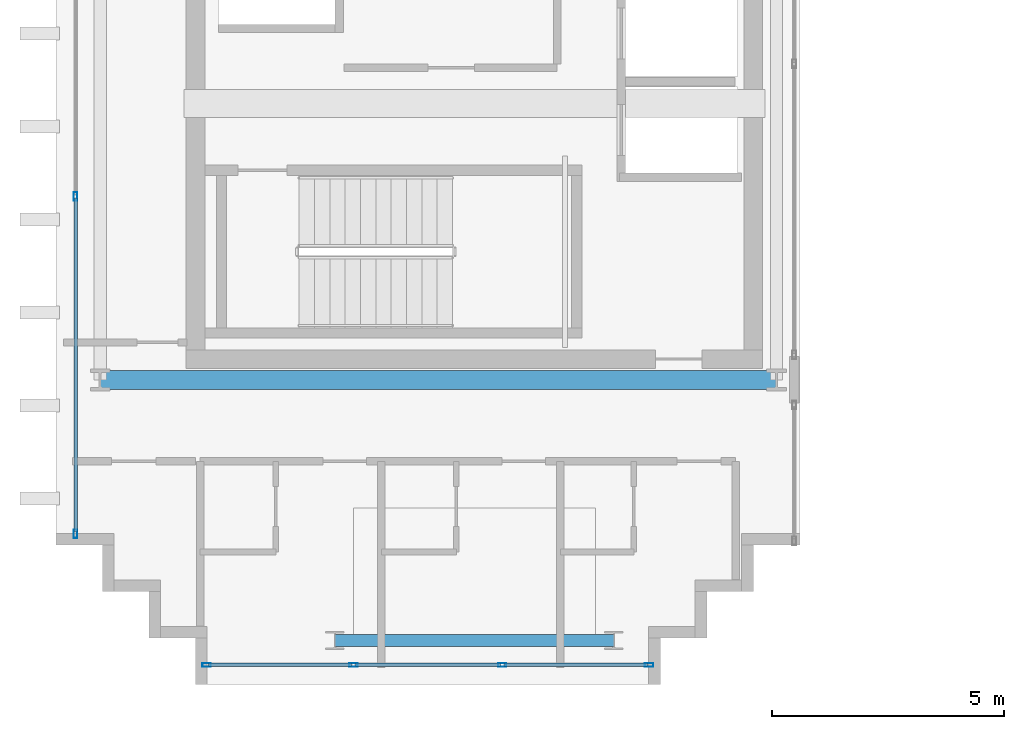
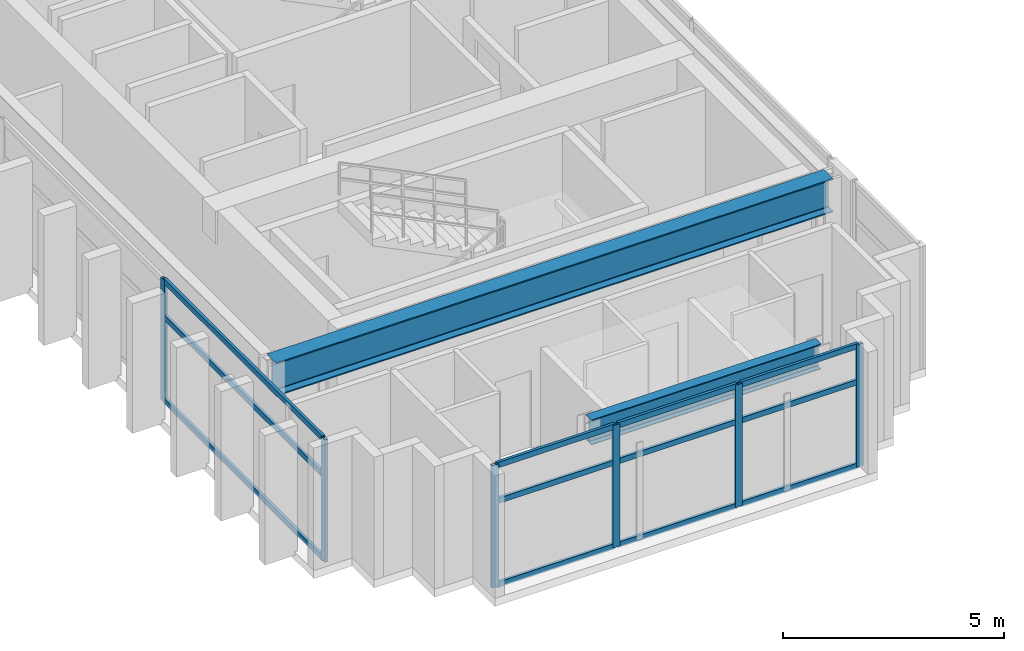
# One storey, part 2 of 25: 18 members, 2 beams, 2 elements without a shape of their own.
"""IFC4 building model written with IfcOpenShell, lengths in metres."""

from ifc_helpers import new_model, si_unit, direction, frame, origin, origin_2d, place, context, subcontext, project, spatial, hollow_rectangle, i_section, extrude, source, transform, mapped, material, layer, layer_set, material_profile, profile_set, type_object, element, aggregate, save


model = new_model("IFC4")

# Units and contexts
model_context = context("Model", 3, precision=1e-05, world=origin(), true_north=direction((0.0, 1.0)))
body_context = subcontext(model_context, "Body", "Model", "MODEL_VIEW")
ifc_project = project(units=[si_unit("LENGTHUNIT", "METRE"), si_unit("AREAUNIT", "SQUARE_METRE"), si_unit("VOLUMEUNIT", "CUBIC_METRE"), si_unit("PLANEANGLEUNIT", "RADIAN"), si_unit("MASSUNIT", "GRAM", prefix="KILO")], contexts=[model_context])

# Site, building, storey
site_placement = place(None, origin())
site = spatial("IfcSite", under=ifc_project, at=site_placement, CompositionType="ELEMENT")
building_placement = place(site_placement, origin())
building = spatial("IfcBuilding", under=site, at=building_placement, Name="Ocotamira Hotel", CompositionType="ELEMENT")
storey_placement = place(building_placement, frame((0.0, 0.0, 254.39990234375)))
storey = spatial("IfcBuildingStorey", under=building, at=storey_placement, Name="L64", CompositionType="ELEMENT", Elevation=254.39990234375)

# Beams
ifc_material_1 = material(Name="Steel ASTM A992 Grade 50", Category="steel")
ifc_material_profile_1 = material_profile(ifc_material_1, i_section(OverallWidth=0.41796875, OverallDepth=0.927001953125, WebThickness=0.019287109375, FlangeThickness=0.031982421875, FilletRadius=0.02392578125, at=origin_2d()), Name="W36X231")
ifc_profile_set_1 = profile_set([ifc_material_profile_1], Name="Steel ASTM A992 Grade 50")
beam_type_1 = type_object("IfcBeamType", Name="BM-GIRD-W36X231", PredefinedType="BEAM", material=ifc_profile_set_1)
shared_shape_1 = source(origin(), body_context, "Body", "SweptSolid", [
    extrude(i_section(OverallWidth=0.41796875, OverallDepth=0.927001953125, WebThickness=0.019287109375, FlangeThickness=0.031982421875, FilletRadius=0.02392578125, at=origin_2d()), origin(), (0.0, 0.0, 1.0), 14.550048828125),
])
beam_1_placement = place(storey_placement, frame((8.949951171875, 14.550048828125, 2.91650390625), z_axis=(1.0, 0.0, 0.0), x_axis=(0.0, 1.0, 0.0)))
element("IfcBeam", 1, at=beam_1_placement, inside=storey, type_object=beam_type_1, Name="L64 Girder Y14.55 X8.95-23.5", PredefinedType="BEAM", context=body_context, shape_type="MappedRepresentation", body=[
    mapped(shared_shape_1, transform((0.0, 0.0, 0.0), scale=1.0)),
])
ifc_material_profile_2 = material_profile(ifc_material_1, i_section(OverallWidth=0.256103515625, OverallDepth=0.693115234375, WebThickness=0.014404296875, FlangeThickness=0.023681640625, FilletRadius=0.01611328125, at=origin_2d()), Name="W27X114")
ifc_profile_set_2 = profile_set([ifc_material_profile_2], Name="Steel ASTM A992 Grade 50")
beam_type_2 = type_object("IfcBeamType", Name="BM-PRIM-W27X114", PredefinedType="BEAM", material=ifc_profile_set_2)
shared_shape_2 = source(origin(), body_context, "Body", "SweptSolid", [
    extrude(i_section(OverallWidth=0.256103515625, OverallDepth=0.693115234375, WebThickness=0.014404296875, FlangeThickness=0.023681640625, FilletRadius=0.01611328125, at=origin_2d()), origin(), (0.0, 0.0, 1.0), 6.0),
])
beam_2_placement = place(storey_placement, frame((14.0, 8.949951171875, 3.03369140625), z_axis=(1.0, 0.0, 0.0), x_axis=(0.0, 1.0, 0.0)))
element("IfcBeam", 2, at=beam_2_placement, inside=storey, type_object=beam_type_2, Name="L64 Girder Y8.95 X14-20", PredefinedType="BEAM", context=body_context, shape_type="MappedRepresentation", body=[
    mapped(shared_shape_2, transform((0.0, 0.0, 0.0), scale=1.0)),
])

# Curtain wall, members
ifc_material_2 = material(Name="Anodised pale-metal aluminium and solar glass", Category="aluminium")
ifc_layer = layer(ifc_material_2, 0.2099609375)
ifc_layer_set = layer_set([ifc_layer], Name="Anodised pale-metal aluminium and solar glass")
curtain_wall_type = type_object("IfcCurtainWallType", Name="CW-SYS7-PEAK", PredefinedType="NOTDEFINED", material=ifc_layer_set)
curtain_wall_1_placement = place(storey_placement, origin())
curtain_wall_1 = element("IfcCurtainWall", 3, at=curtain_wall_1_placement, inside=storey, type_object=curtain_wall_type, Name="L64 Curtain Wall CW-7 CW-L64-WS", PredefinedType="NOTDEFINED")
ifc_material_3 = material(Name="Anodised pale-metal aluminium 6063-T6", Category="aluminium")
ifc_material_profile_3 = material_profile(ifc_material_3, hollow_rectangle(XDim=0.080078125, YDim=0.179931640625, WallThickness=0.006103515625, at=origin_2d()), Name="HSS180X80X6")
ifc_profile_set_3 = profile_set([ifc_material_profile_3], Name="Anodised pale-metal aluminium 6063-T6")
member_type_1 = type_object("IfcMemberType", Name="CWM-180X75", PredefinedType="MULLION", material=ifc_profile_set_3)
shared_shape_3 = source(origin(), body_context, "Body", "SweptSolid", [
    extrude(hollow_rectangle(XDim=0.080078125, YDim=0.179931640625, WallThickness=0.006103515625, at=origin_2d()), origin(), (0.0, 0.0, 1.0), 3.380126953125),
])
member_1_placement = place(storey_placement, frame((11.239990234375, 8.419921875, 0.0), z_axis=(0.0, 0.0, 1.0), x_axis=(0.0, 1.0, 0.0)))
member_1 = element("IfcMember", 4, at=member_1_placement, type_object=member_type_1, Name="CW-7 mullion 1", PredefinedType="MULLION", context=body_context, shape_type="MappedRepresentation", body=[
    mapped(shared_shape_3, transform((0.0, 0.0, 0.0), scale=1.0)),
])
member_2_placement = place(storey_placement, frame((14.39990234375, 8.419921875, 0.0), z_axis=(0.0, 0.0, 1.0), x_axis=(0.0, 1.0, 0.0)))
member_2 = element("IfcMember", 5, at=member_2_placement, type_object=member_type_1, Name="CW-7 mullion 2", PredefinedType="MULLION", context=body_context, shape_type="MappedRepresentation", body=[
    mapped(shared_shape_3, transform((0.0, 0.0, 0.0), scale=1.0)),
])
member_3_placement = place(storey_placement, frame((17.60009765625, 8.419921875, 0.0), z_axis=(0.0, 0.0, 1.0), x_axis=(0.0, 1.0, 0.0)))
member_3 = element("IfcMember", 6, at=member_3_placement, type_object=member_type_1, Name="CW-7 mullion 3", PredefinedType="MULLION", context=body_context, shape_type="MappedRepresentation", body=[
    mapped(shared_shape_3, transform((0.0, 0.0, 0.0), scale=1.0)),
])
member_4_placement = place(storey_placement, frame((20.760009765625, 8.419921875, 0.0), z_axis=(0.0, 0.0, 1.0), x_axis=(0.0, 1.0, 0.0)))
member_4 = element("IfcMember", 7, at=member_4_placement, type_object=member_type_1, Name="CW-7 mullion 4", PredefinedType="MULLION", context=body_context, shape_type="MappedRepresentation", body=[
    mapped(shared_shape_3, transform((0.0, 0.0, 0.0), scale=1.0)),
])

curtain_wall_2_placement = place(storey_placement, origin())
curtain_wall_2 = element("IfcCurtainWall", 8, at=curtain_wall_2_placement, inside=storey, type_object=curtain_wall_type, Name="L64 Curtain Wall CW-7 CW-L64-WO1", PredefinedType="NOTDEFINED")
member_5_placement = place(storey_placement, frame((8.419921875, 11.239990234375, 0.0), z_axis=(0.0, 0.0, 1.0), x_axis=(-1.0, 0.0, 0.0)))
member_5 = element("IfcMember", 9, at=member_5_placement, type_object=member_type_1, Name="CW-7 mullion 1", PredefinedType="MULLION", context=body_context, shape_type="MappedRepresentation", body=[
    mapped(shared_shape_3, transform((0.0, 0.0, 0.0), scale=1.0)),
])
member_6_placement = place(storey_placement, frame((8.419921875, 18.5, 0.0), z_axis=(0.0, 0.0, 1.0), x_axis=(-1.0, 0.0, 0.0)))
member_6 = element("IfcMember", 10, at=member_6_placement, type_object=member_type_1, Name="CW-7 mullion 2", PredefinedType="MULLION", context=body_context, shape_type="MappedRepresentation", body=[
    mapped(shared_shape_3, transform((0.0, 0.0, 0.0), scale=1.0)),
])

# Member
ifc_material_profile_4 = material_profile(ifc_material_3, hollow_rectangle(XDim=0.074951171875, YDim=0.14990234375, WallThickness=0.006103515625, at=origin_2d()), Name="HSS150X75X6")
ifc_profile_set_4 = profile_set([ifc_material_profile_4], Name="Anodised pale-metal aluminium 6063-T6")
member_type_2 = type_object("IfcMemberType", Name="CWT-150X75", PredefinedType="USERDEFINED", material=ifc_profile_set_4)
shared_shape_4 = source(origin(), body_context, "Body", "SweptSolid", [
    extrude(hollow_rectangle(XDim=0.074951171875, YDim=0.14990234375, WallThickness=0.006103515625, at=origin_2d()), origin(), (0.0, 0.0, 1.0), 3.080078125),
])
member_7_placement = place(storey_placement, frame((11.280029296875, 8.419921875, 0.03759765625), z_axis=(1.0, 0.0, 0.0), x_axis=(0.0, 1.0, 0.0)))
member_7 = element("IfcMember", 11, at=member_7_placement, type_object=member_type_2, Name="CW-7 transom 1.1", ObjectType="TRANSOM", PredefinedType="USERDEFINED", context=body_context, shape_type="MappedRepresentation", body=[
    mapped(shared_shape_4, transform((0.0, 0.0, 0.0), scale=1.0)),
])

member_8_placement = place(storey_placement, frame((11.280029296875, 8.419921875, 2.35009765625), z_axis=(1.0, 0.0, 0.0), x_axis=(0.0, 1.0, 0.0)))
member_8 = element("IfcMember", 12, at=member_8_placement, type_object=member_type_2, Name="CW-7 transom 1.2", ObjectType="TRANSOM", PredefinedType="USERDEFINED", context=body_context, shape_type="MappedRepresentation", body=[
    mapped(shared_shape_4, transform((0.0, 0.0, 0.0), scale=1.0)),
])

member_9_placement = place(storey_placement, frame((11.280029296875, 8.419921875, 3.342529296875), z_axis=(1.0, 0.0, 0.0), x_axis=(0.0, 1.0, 0.0)))
member_9 = element("IfcMember", 13, at=member_9_placement, type_object=member_type_2, Name="CW-7 transom 1.3", ObjectType="TRANSOM", PredefinedType="USERDEFINED", context=body_context, shape_type="MappedRepresentation", body=[
    mapped(shared_shape_4, transform((0.0, 0.0, 0.0), scale=1.0)),
])

member_10_placement = place(storey_placement, frame((17.639892578125, 8.419921875, 0.03759765625), z_axis=(1.0, 0.0, 0.0), x_axis=(0.0, 1.0, 0.0)))
member_10 = element("IfcMember", 14, at=member_10_placement, type_object=member_type_2, Name="CW-7 transom 3.1", ObjectType="TRANSOM", PredefinedType="USERDEFINED", context=body_context, shape_type="MappedRepresentation", body=[
    mapped(shared_shape_4, transform((0.0, 0.0, 0.0), scale=1.0)),
])

member_11_placement = place(storey_placement, frame((17.639892578125, 8.419921875, 2.35009765625), z_axis=(1.0, 0.0, 0.0), x_axis=(0.0, 1.0, 0.0)))
member_11 = element("IfcMember", 15, at=member_11_placement, type_object=member_type_2, Name="CW-7 transom 3.2", ObjectType="TRANSOM", PredefinedType="USERDEFINED", context=body_context, shape_type="MappedRepresentation", body=[
    mapped(shared_shape_4, transform((0.0, 0.0, 0.0), scale=1.0)),
])

member_12_placement = place(storey_placement, frame((17.639892578125, 8.419921875, 3.342529296875), z_axis=(1.0, 0.0, 0.0), x_axis=(0.0, 1.0, 0.0)))
member_12 = element("IfcMember", 16, at=member_12_placement, type_object=member_type_2, Name="CW-7 transom 3.3", ObjectType="TRANSOM", PredefinedType="USERDEFINED", context=body_context, shape_type="MappedRepresentation", body=[
    mapped(shared_shape_4, transform((0.0, 0.0, 0.0), scale=1.0)),
])

shared_shape_5 = source(origin(), body_context, "Body", "SweptSolid", [
    extrude(hollow_rectangle(XDim=0.074951171875, YDim=0.14990234375, WallThickness=0.006103515625, at=origin_2d()), origin(), (0.0, 0.0, 1.0), 3.1201171875),
])
member_13_placement = place(storey_placement, frame((14.43994140625, 8.419921875, 0.03759765625), z_axis=(1.0, 0.0, 0.0), x_axis=(0.0, 1.0, 0.0)))
member_13 = element("IfcMember", 17, at=member_13_placement, type_object=member_type_2, Name="CW-7 transom 2.1", ObjectType="TRANSOM", PredefinedType="USERDEFINED", context=body_context, shape_type="MappedRepresentation", body=[
    mapped(shared_shape_5, transform((0.0, 0.0, 0.0), scale=1.0)),
])

member_14_placement = place(storey_placement, frame((14.43994140625, 8.419921875, 2.35009765625), z_axis=(1.0, 0.0, 0.0), x_axis=(0.0, 1.0, 0.0)))
member_14 = element("IfcMember", 18, at=member_14_placement, type_object=member_type_2, Name="CW-7 transom 2.2", ObjectType="TRANSOM", PredefinedType="USERDEFINED", context=body_context, shape_type="MappedRepresentation", body=[
    mapped(shared_shape_5, transform((0.0, 0.0, 0.0), scale=1.0)),
])

member_15_placement = place(storey_placement, frame((14.43994140625, 8.419921875, 3.342529296875), z_axis=(1.0, 0.0, 0.0), x_axis=(0.0, 1.0, 0.0)))
member_15 = element("IfcMember", 19, at=member_15_placement, type_object=member_type_2, Name="CW-7 transom 2.3", ObjectType="TRANSOM", PredefinedType="USERDEFINED", context=body_context, shape_type="MappedRepresentation", body=[
    mapped(shared_shape_5, transform((0.0, 0.0, 0.0), scale=1.0)),
])

aggregate(curtain_wall_1, [member_1, member_2, member_3, member_4, member_7, member_8, member_9, member_13, member_14, member_15, member_10, member_11, member_12])

shared_shape_6 = source(origin(), body_context, "Body", "SweptSolid", [
    extrude(hollow_rectangle(XDim=0.074951171875, YDim=0.14990234375, WallThickness=0.006103515625, at=origin_2d()), origin(), (0.0, 0.0, 1.0), 7.179931640625),
])
member_16_placement = place(storey_placement, frame((8.419921875, 11.280029296875, 0.03759765625), z_axis=(0.0, 1.0, 0.0), x_axis=(-1.0, 0.0, 0.0)))
member_16 = element("IfcMember", 20, at=member_16_placement, type_object=member_type_2, Name="CW-7 transom 1.1", ObjectType="TRANSOM", PredefinedType="USERDEFINED", context=body_context, shape_type="MappedRepresentation", body=[
    mapped(shared_shape_6, transform((0.0, 0.0, 0.0), scale=1.0)),
])

member_17_placement = place(storey_placement, frame((8.419921875, 11.280029296875, 2.35009765625), z_axis=(0.0, 1.0, 0.0), x_axis=(-1.0, 0.0, 0.0)))
member_17 = element("IfcMember", 21, at=member_17_placement, type_object=member_type_2, Name="CW-7 transom 1.2", ObjectType="TRANSOM", PredefinedType="USERDEFINED", context=body_context, shape_type="MappedRepresentation", body=[
    mapped(shared_shape_6, transform((0.0, 0.0, 0.0), scale=1.0)),
])

member_18_placement = place(storey_placement, frame((8.419921875, 11.280029296875, 3.342529296875), z_axis=(0.0, 1.0, 0.0), x_axis=(-1.0, 0.0, 0.0)))
member_18 = element("IfcMember", 22, at=member_18_placement, type_object=member_type_2, Name="CW-7 transom 1.3", ObjectType="TRANSOM", PredefinedType="USERDEFINED", context=body_context, shape_type="MappedRepresentation", body=[
    mapped(shared_shape_6, transform((0.0, 0.0, 0.0), scale=1.0)),
])

aggregate(curtain_wall_2, [member_5, member_6, member_16, member_17, member_18])

save(model, "model.ifc")
